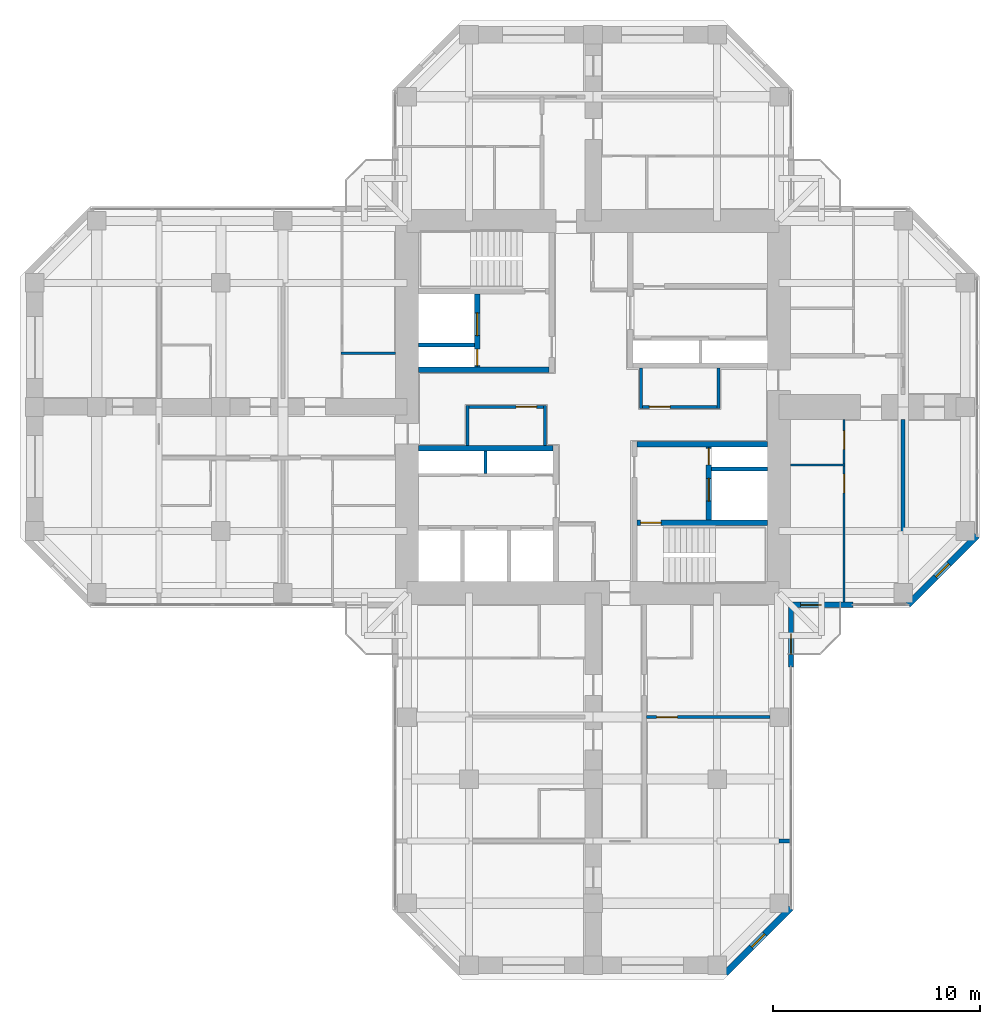
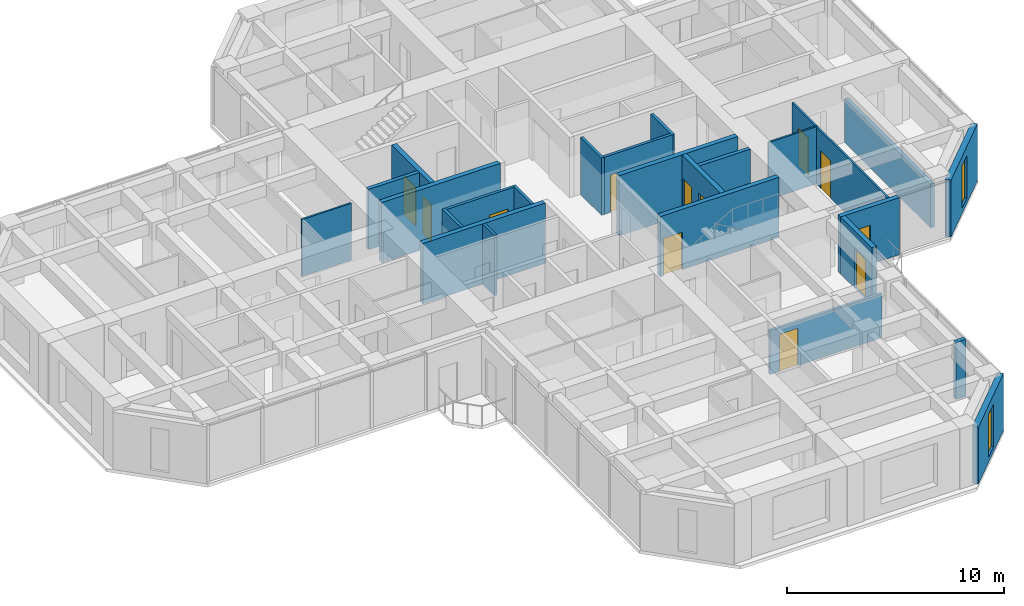
# One storey, part 10 of 14: 25 walls, 12 doors, 2 windows, 14 openings.
"""IFC4 building model written with IfcOpenShell, lengths in metres."""

from ifc_helpers import new_model, si_unit, direction, frame, frame_2d, origin, place, context, subcontext, project, spatial, rectangle, hollow_rectangle, extrude, material, layer, layer_set, constituent, constituent_set, type_object, element, fill, save


model = new_model("IFC4")

# Units and contexts
model_context = context("Model", 3, precision=1e-05, world=origin(), true_north=direction((0.0, 1.0)))
body_context = subcontext(model_context, "Body", "Model", "MODEL_VIEW")
ifc_project = project(units=[si_unit("LENGTHUNIT", "METRE"), si_unit("AREAUNIT", "SQUARE_METRE"), si_unit("VOLUMEUNIT", "CUBIC_METRE"), si_unit("PLANEANGLEUNIT", "RADIAN"), si_unit("MASSUNIT", "GRAM", prefix="KILO")], contexts=[model_context])

# Site, building, storey
site_placement = place(None, origin())
site = spatial("IfcSite", under=ifc_project, at=site_placement, CompositionType="ELEMENT")
building_placement = place(site_placement, origin())
building = spatial("IfcBuilding", under=site, at=building_placement, Name="Torre Cruceta", CompositionType="ELEMENT")
storey_placement = place(building_placement, frame((0.0, 0.0, 179.699951171875)))
storey = spatial("IfcBuildingStorey", under=building, at=storey_placement, Name="L44", CompositionType="ELEMENT", Elevation=179.699951171875)

# Wall
ifc_material_1 = material(Name="Water-resistant plasterboard on steel studs", Category="steel")
ifc_layer_1 = layer(ifc_material_1, 0.10009765625)
ifc_layer_set_1 = layer_set([ifc_layer_1], Name="Water-resistant plasterboard on steel studs")
wall_type_1 = type_object("IfcWallType", Name="BATHROOM WALL 100", PredefinedType="PARTITIONING", material=ifc_layer_set_1)
wall_1_placement = place(storey_placement, frame((9.550048828125, -2.800048828125, 0.0), z_axis=(0.0, 0.0, 1.0), x_axis=(1.0, 0.0, 0.0)))
element("IfcWall", 1, at=wall_1_placement, inside=storey, type_object=wall_type_1, Name="PT4 L44-E-U1RBB", PredefinedType="PARTITIONING", context=body_context, shape_type="SweptSolid", body=[
    extrude(rectangle(XDim=2.64990234375, YDim=0.10009765625, at=frame_2d((1.324951171875, 0.0))), origin(), (0.0, 0.0, 1.0), 3.219970703125),
])

# Wall, openings, doors
wall_2_placement = place(storey_placement, frame((12.14990234375, -9.445068359375, 0.0), z_axis=(0.0, 0.0, 1.0), x_axis=(0.0, 1.0, 0.0)))
wall_2 = element("IfcWall", 2, at=wall_2_placement, inside=storey, type_object=wall_type_1, Name="PT4 L44-E-U1RBS", PredefinedType="PARTITIONING", context=body_context, shape_type="SweptSolid", body=[
    extrude(rectangle(XDim=8.844970703125, YDim=0.10009765625, at=frame_2d((4.42236328125, 0.0))), origin(), (0.0, 0.0, 1.0), 3.219970703125),
])
opening_1_placement = place(wall_2_placement, frame((5.294921875, 0.0, 0.0)))
opening_1 = element("IfcOpeningElement", 3, at=opening_1_placement, cuts=wall_2, Name="Opening D7", PredefinedType="OPENING", context=body_context, shape_type="SweptSolid", body=[
    extrude(rectangle(XDim=0.89990234375, YDim=2.10009765625, at=frame_2d((0.449951171875, 1.050048828125))), frame((0.0, 0.06005859375, 0.0), z_axis=(0.0, -1.0, 0.0), x_axis=(1.0, 0.0, 0.0)), (0.0, 0.0, 1.0), 0.1201171875),
])
opening_2_placement = place(wall_2_placement, frame((7.39501953125, 0.0, 0.0)))
opening_2 = element("IfcOpeningElement", 4, at=opening_2_placement, cuts=wall_2, Name="Opening D7", PredefinedType="OPENING", context=body_context, shape_type="SweptSolid", body=[
    extrude(rectangle(XDim=0.89990234375, YDim=2.10009765625, at=frame_2d((0.449951171875, 1.050048828125))), frame((0.0, 0.06005859375, 0.0), z_axis=(0.0, -1.0, 0.0), x_axis=(1.0, 0.0, 0.0)), (0.0, 0.0, 1.0), 0.1201171875),
])
ifc_material_2 = material(Name="Timber door", Category="wood")
door_type_1 = type_object("IfcDoorType", Name="BATHROOM DOOR 900X2100", OperationType="SINGLE_SWING_LEFT", PredefinedType="DOOR", material=ifc_material_2)
door_1_placement = place(opening_1_placement, origin())
door_1 = element("IfcDoor", 5, at=door_1_placement, inside=storey, type_object=door_type_1, Name="D7 L44-E-U1RBS-D1", OperationType="SINGLE_SWING_RIGHT", OverallHeight=2.10009765625, OverallWidth=0.89990234375, PredefinedType="DOOR", context=body_context, shape_type="SweptSolid", body=[
    extrude(rectangle(XDim=0.89990234375, YDim=2.10009765625, at=frame_2d((0.449951171875, 1.050048828125))), frame((0.0, 0.02490234375, 0.0), z_axis=(0.0, -1.0, 0.0), x_axis=(1.0, 0.0, 0.0)), (0.0, 0.0, 1.0), 0.050048828125),
])
fill(opening_1, door_1)
door_2_placement = place(opening_2_placement, origin())
door_2 = element("IfcDoor", 6, at=door_2_placement, inside=storey, type_object=door_type_1, Name="D7 L44-E-U1RBS-D2", OperationType="SINGLE_SWING_RIGHT", OverallHeight=2.10009765625, OverallWidth=0.89990234375, PredefinedType="DOOR", context=body_context, shape_type="SweptSolid", body=[
    extrude(rectangle(XDim=0.89990234375, YDim=2.10009765625, at=frame_2d((0.449951171875, 1.050048828125))), frame((0.0, 0.02490234375, 0.0), z_axis=(0.0, -1.0, 0.0), x_axis=(1.0, 0.0, 0.0)), (0.0, 0.0, 1.0), 0.050048828125),
])
fill(opening_2, door_2)

# Walls
wall_3_placement = place(storey_placement, frame((-9.550048828125, 2.60009765625, 0.0), z_axis=(0.0, 0.0, 1.0), x_axis=(-1.0, 0.0, 0.0)))
element("IfcWall", 7, at=wall_3_placement, inside=storey, type_object=wall_type_1, Name="PT4 L44-W-U1RBB", PredefinedType="PARTITIONING", context=body_context, shape_type="SweptSolid", body=[
    extrude(rectangle(XDim=2.64990234375, YDim=0.10009765625, at=frame_2d((1.324951171875, 0.0))), origin(), (0.0, 0.0, 1.0), 3.219970703125),
])
ifc_material_3 = material(Name="Concrete G60 (fck 60 MPa)", Category="concrete")
ifc_layer_2 = layer(ifc_material_3, 0.25)
ifc_layer_set_2 = layer_set([ifc_layer_2], Name="Concrete G60 (fck 60 MPa)")
wall_type_2 = type_object("IfcWallType", Name="CORE INNER WALL 250 G60", PredefinedType="SHEAR", material=ifc_layer_set_2)
wall_4_placement = place(storey_placement, frame((-2.125, 1.800048828125, 0.0), z_axis=(0.0, 0.0, 1.0), x_axis=(-1.0, 0.0, 0.0)))
element("IfcWall", 8, at=wall_4_placement, inside=storey, type_object=wall_type_2, Name="CW4 L44 NW-CV", PredefinedType="SHEAR", context=body_context, shape_type="SweptSolid", body=[
    extrude(rectangle(XDim=6.324951171875, YDim=0.25, at=frame_2d((3.16259765625, 0.0))), origin(), (0.0, 0.0, 1.0), 3.400146484375),
])

# Wall, openings, doors
wall_5_placement = place(storey_placement, frame((-5.60009765625, 1.925048828125, 0.0), z_axis=(0.0, 0.0, 1.0), x_axis=(0.0, 1.0, 0.0)))
wall_5 = element("IfcWall", 9, at=wall_5_placement, inside=storey, type_object=wall_type_2, Name="CW4 L44 NW-FU", PredefinedType="SHEAR", context=body_context, shape_type="SweptSolid", body=[
    extrude(rectangle(XDim=3.550048828125, YDim=0.25, at=frame_2d((1.77490234375, 0.0))), origin(), (0.0, 0.0, 1.0), 3.400146484375),
])
opening_3_placement = place(wall_5_placement, frame((1.52490234375, 0.0, 0.0)))
opening_3 = element("IfcOpeningElement", 10, at=opening_3_placement, cuts=wall_5, Name="Opening LD1", PredefinedType="OPENING", context=body_context, shape_type="SweptSolid", body=[
    extrude(rectangle(XDim=1.10009765625, YDim=2.199951171875, at=frame_2d((0.550048828125, 1.10009765625))), frame((0.0, 0.135009765625, 0.0), z_axis=(0.0, -1.0, 0.0), x_axis=(1.0, 0.0, 0.0)), (0.0, 0.0, 1.0), 0.27001953125),
])
opening_4_placement = place(wall_5_placement, frame((0.074951171875, 0.0, 0.0)))
opening_4 = element("IfcOpeningElement", 11, at=opening_4_placement, cuts=wall_5, Name="Opening D5", PredefinedType="OPENING", context=body_context, shape_type="SweptSolid", body=[
    extrude(rectangle(XDim=0.800048828125, YDim=2.10009765625, at=frame_2d((0.39990234375, 1.050048828125))), frame((0.0, 0.135009765625, 0.0), z_axis=(0.0, -1.0, 0.0), x_axis=(1.0, 0.0, 0.0)), (0.0, 0.0, 1.0), 0.27001953125),
])
ifc_material_4 = material(Name="Stainless steel 1.4401", Category="steel")
door_type_2 = type_object("IfcDoorType", Name="LIFT LANDING DOOR 1100X2200", OperationType="DOUBLE_DOOR_SLIDING", PredefinedType="DOOR", material=ifc_material_4)
door_3_placement = place(opening_3_placement, origin())
door_3 = element("IfcDoor", 12, at=door_3_placement, inside=storey, type_object=door_type_2, Name="Lift landing door FL1", OperationType="DOUBLE_DOOR_SLIDING", OverallHeight=2.199951171875, OverallWidth=1.10009765625, PredefinedType="DOOR", context=body_context, shape_type="SweptSolid", body=[
    extrude(rectangle(XDim=1.10009765625, YDim=2.199951171875, at=frame_2d((0.550048828125, 1.10009765625))), frame((0.0, 0.02490234375, 0.0), z_axis=(0.0, -1.0, 0.0), x_axis=(1.0, 0.0, 0.0)), (0.0, 0.0, 1.0), 0.050048828125),
])
fill(opening_3, door_3)
ifc_material_5 = material(Name="Steel DX51D", Category="steel")
ifc_constituent_1 = constituent(ifc_material_5, Name="Leaf and frame")
ifc_material_6 = material(Name="Polyester powder coating", Category="paint")
ifc_constituent_2 = constituent(ifc_material_6, Name="Finish")
ifc_constituent_set_1 = constituent_set(constituents=[ifc_constituent_1, ifc_constituent_2], Name="Steel fire door")
door_type_3 = type_object("IfcDoorType", Name="RISER ACCESS DOOR 800X2100", OperationType="SINGLE_SWING_LEFT", PredefinedType="DOOR", material=ifc_constituent_set_1)
door_4_placement = place(opening_4_placement, origin())
door_4 = element("IfcDoor", 13, at=door_4_placement, inside=storey, type_object=door_type_3, Name="D5 L44 NW-RISER", OperationType="SINGLE_SWING_LEFT", OverallHeight=2.10009765625, OverallWidth=0.800048828125, PredefinedType="DOOR", context=body_context, shape_type="SweptSolid", body=[
    extrude(rectangle(XDim=0.800048828125, YDim=2.10009765625, at=frame_2d((0.39990234375, 1.050048828125))), frame((0.0, 0.02490234375, 0.0), z_axis=(0.0, -1.0, 0.0), x_axis=(1.0, 0.0, 0.0)), (0.0, 0.0, 1.0), 0.050048828125),
])
fill(opening_4, door_4)

# Walls
wall_6_placement = place(storey_placement, frame((-1.925048828125, -2.0, 0.0), z_axis=(0.0, 0.0, 1.0), x_axis=(-1.0, 0.0, 0.0)))
element("IfcWall", 14, at=wall_6_placement, inside=storey, type_object=wall_type_2, Name="CW4 L44 SW-CV", PredefinedType="SHEAR", context=body_context, shape_type="SweptSolid", body=[
    extrude(rectangle(XDim=6.52490234375, YDim=0.25, at=frame_2d((3.262451171875, 0.0))), origin(), (0.0, 0.0, 1.0), 3.400146484375),
])
wall_7_placement = place(storey_placement, frame((2.125, -1.800048828125, 0.0), z_axis=(0.0, 0.0, 1.0), x_axis=(1.0, 0.0, 0.0)))
element("IfcWall", 15, at=wall_7_placement, inside=storey, type_object=wall_type_2, Name="CW4 L44 SE-CV", PredefinedType="SHEAR", context=body_context, shape_type="SweptSolid", body=[
    extrude(rectangle(XDim=6.324951171875, YDim=0.25, at=frame_2d((3.16259765625, 0.0))), origin(), (0.0, 0.0, 1.0), 3.400146484375),
])

# Wall, opening, door
wall_8_placement = place(storey_placement, frame((2.125, -5.60009765625, 0.0), z_axis=(0.0, 0.0, 1.0), x_axis=(1.0, 0.0, 0.0)))
wall_8 = element("IfcWall", 16, at=wall_8_placement, inside=storey, type_object=wall_type_2, Name="CW4 L44 SE-SV", PredefinedType="SHEAR", context=body_context, shape_type="SweptSolid", body=[
    extrude(rectangle(XDim=6.324951171875, YDim=0.25, at=frame_2d((3.16259765625, 0.0))), origin(), (0.0, 0.0, 1.0), 3.400146484375),
])
opening_5_placement = place(wall_8_placement, frame((0.175048828125, 0.0, 0.0)))
opening_5 = element("IfcOpeningElement", 17, at=opening_5_placement, cuts=wall_8, Name="Opening D3", PredefinedType="OPENING", context=body_context, shape_type="SweptSolid", body=[
    extrude(rectangle(XDim=1.0, YDim=2.10009765625, at=frame_2d((0.5, 1.050048828125))), frame((0.0, 0.135009765625, 0.0), z_axis=(0.0, -1.0, 0.0), x_axis=(1.0, 0.0, 0.0)), (0.0, 0.0, 1.0), 0.27001953125),
])
ifc_material_7 = material(Name="Steel DX51D", Category="steel")
ifc_constituent_3 = constituent(ifc_material_7, Name="Leaf and frame")
ifc_material_8 = material(Name="Polyester powder coating", Category="paint")
ifc_constituent_4 = constituent(ifc_material_8, Name="Finish")
ifc_constituent_set_2 = constituent_set(constituents=[ifc_constituent_3, ifc_constituent_4], Name="Steel fire door")
door_type_4 = type_object("IfcDoorType", Name="FIRE DOOR 1000X2100", OperationType="SINGLE_SWING_LEFT", PredefinedType="DOOR", material=ifc_constituent_set_2)
door_5_placement = place(opening_5_placement, frame((1.0, 0.0, 0.0), z_axis=(0.0, 0.0, 1.0), x_axis=(-1.0, 0.0, 0.0)))
door_5 = element("IfcDoor", 18, at=door_5_placement, inside=storey, type_object=door_type_4, Name="D3 L44 SE-STAIR", OperationType="SINGLE_SWING_RIGHT", OverallHeight=2.10009765625, OverallWidth=1.0, PredefinedType="DOOR", context=body_context, shape_type="SweptSolid", body=[
    extrude(rectangle(XDim=1.0, YDim=2.10009765625, at=frame_2d((0.5, 1.050048828125))), frame((0.0, 0.025146484375, 0.0), z_axis=(0.0, -1.0, 0.0), x_axis=(1.0, 0.0, 0.0)), (0.0, 0.0, 1.0), 0.050048828125),
])
fill(opening_5, door_5)

# Wall, openings, doors
wall_9_placement = place(storey_placement, frame((5.60009765625, -1.925048828125, 0.0), z_axis=(0.0, 0.0, 1.0), x_axis=(0.0, -1.0, 0.0)))
wall_9 = element("IfcWall", 19, at=wall_9_placement, inside=storey, type_object=wall_type_2, Name="CW4 L44 SE-FU", PredefinedType="SHEAR", context=body_context, shape_type="SweptSolid", body=[
    extrude(rectangle(XDim=3.550048828125, YDim=0.25, at=frame_2d((1.77490234375, 0.0))), origin(), (0.0, 0.0, 1.0), 3.400146484375),
])
opening_6_placement = place(wall_9_placement, frame((1.52490234375, 0.0, 0.0)))
opening_6 = element("IfcOpeningElement", 20, at=opening_6_placement, cuts=wall_9, Name="Opening LD1", PredefinedType="OPENING", context=body_context, shape_type="SweptSolid", body=[
    extrude(rectangle(XDim=1.10009765625, YDim=2.199951171875, at=frame_2d((0.550048828125, 1.10009765625))), frame((0.0, 0.135009765625, 0.0), z_axis=(0.0, -1.0, 0.0), x_axis=(1.0, 0.0, 0.0)), (0.0, 0.0, 1.0), 0.27001953125),
])
opening_7_placement = place(wall_9_placement, frame((0.074951171875, 0.0, 0.0)))
opening_7 = element("IfcOpeningElement", 21, at=opening_7_placement, cuts=wall_9, Name="Opening D5", PredefinedType="OPENING", context=body_context, shape_type="SweptSolid", body=[
    extrude(rectangle(XDim=0.800048828125, YDim=2.10009765625, at=frame_2d((0.39990234375, 1.050048828125))), frame((0.0, 0.135009765625, 0.0), z_axis=(0.0, -1.0, 0.0), x_axis=(1.0, 0.0, 0.0)), (0.0, 0.0, 1.0), 0.27001953125),
])
door_6_placement = place(opening_6_placement, origin())
door_6 = element("IfcDoor", 22, at=door_6_placement, inside=storey, type_object=door_type_2, Name="Lift landing door FL2", OperationType="DOUBLE_DOOR_SLIDING", OverallHeight=2.199951171875, OverallWidth=1.10009765625, PredefinedType="DOOR", context=body_context, shape_type="SweptSolid", body=[
    extrude(rectangle(XDim=1.10009765625, YDim=2.199951171875, at=frame_2d((0.550048828125, 1.10009765625))), frame((0.0, 0.02490234375, 0.0), z_axis=(0.0, -1.0, 0.0), x_axis=(1.0, 0.0, 0.0)), (0.0, 0.0, 1.0), 0.050048828125),
])
fill(opening_6, door_6)
door_7_placement = place(opening_7_placement, origin())
door_7 = element("IfcDoor", 23, at=door_7_placement, inside=storey, type_object=door_type_3, Name="D5 L44 SE-RISER", OperationType="SINGLE_SWING_LEFT", OverallHeight=2.10009765625, OverallWidth=0.800048828125, PredefinedType="DOOR", context=body_context, shape_type="SweptSolid", body=[
    extrude(rectangle(XDim=0.800048828125, YDim=2.10009765625, at=frame_2d((0.39990234375, 1.050048828125))), frame((0.0, 0.02490234375, 0.0), z_axis=(0.0, -1.0, 0.0), x_axis=(1.0, 0.0, 0.0)), (0.0, 0.0, 1.0), 0.050048828125),
])
fill(opening_7, door_7)

# Wall, opening, window
ifc_material_9 = material(Name="Concrete G30 (fck 30 MPa)", Category="concrete")
ifc_layer_3 = layer(ifc_material_9, 0.300048828125)
ifc_layer_set_3 = layer_set([ifc_layer_3], Name="Concrete G30 (fck 30 MPa)")
wall_type_3 = type_object("IfcWallType", Name="EXPOSED CONCRETE FACADE WALL 300", PredefinedType="SOLIDWALL", material=ifc_layer_set_3)
wall_10_placement = place(storey_placement, frame((15.236083984375, -9.570068359375, 0.0), z_axis=(0.0, 0.0, 1.0), x_axis=(0.707106781187, 0.707106781187, 0.0)))
wall_10 = element("IfcWall", 24, at=wall_10_placement, inside=storey, type_object=wall_type_3, Name="EW1 facade wall L44 E chamfer 01", PredefinedType="SOLIDWALL", context=body_context, shape_type="SweptSolid", body=[
    extrude(rectangle(XDim=4.715087890625, YDim=0.300048828125, at=frame_2d((2.357421875, 0.0))), origin(), (0.0, 0.0, 1.0), 3.219970703125),
])
opening_8_placement = place(wall_10_placement, frame((1.907470703125, 0.0, 0.300048828125)))
opening_8 = element("IfcOpeningElement", 25, at=opening_8_placement, cuts=wall_10, Name="Opening WN5", PredefinedType="OPENING", context=body_context, shape_type="SweptSolid", body=[
    extrude(rectangle(XDim=0.89990234375, YDim=2.39990234375, at=frame_2d((0.449951171875, 1.199951171875))), frame((0.0, 0.159912109375, 0.0), z_axis=(0.0, -1.0, 0.0), x_axis=(1.0, 0.0, 0.0)), (0.0, 0.0, 1.0), 0.320068359375),
])
ifc_material_10 = material(Name="Aluminium window frame", Category="aluminium")
ifc_constituent_5 = constituent(ifc_material_10, Name="Frame")
ifc_material_11 = material(Name="Laminated insulating glass unit, low-iron clear", Category="glass")
ifc_constituent_6 = constituent(ifc_material_11, Name="Glazing")
ifc_constituent_set_3 = constituent_set(constituents=[ifc_constituent_5, ifc_constituent_6], Name="Aluminium window")
window_type = type_object("IfcWindowType", Name="CHAMFER SLOT WINDOW 900X2400", PartitioningType="SINGLE_PANEL", PredefinedType="WINDOW", material=ifc_constituent_set_3)
window_1_placement = place(opening_8_placement, origin())
window_1 = element("IfcWindow", 26, at=window_1_placement, inside=storey, type_object=window_type, Name="WN5 L44 E 1", OverallHeight=2.39990234375, OverallWidth=0.89990234375, PartitioningType="SINGLE_PANEL", PredefinedType="WINDOW", context=body_context, shape_type="SweptSolid", body=[
    extrude(hollow_rectangle(XDim=0.89990234375, YDim=2.39990234375, WallThickness=0.06005859375, at=frame_2d((0.449951171875, 1.199951171875))), frame((0.0, 0.030029296875, 0.0), z_axis=(0.0, -1.0, 0.0), x_axis=(1.0, 0.0, 0.0)), (0.0, 0.0, 1.0), 0.06005859375),
    extrude(rectangle(XDim=0.77880859375, YDim=2.27880859375, at=frame_2d((0.449951171875, 1.199951171875))), frame((0.0, 0.030029296875, 0.0), z_axis=(0.0, -1.0, 0.0), x_axis=(1.0, 0.0, 0.0)), (0.0, 0.0, 1.0), 0.06005859375),
])
fill(opening_8, window_1)

wall_11_placement = place(storey_placement, frame((6.406005859375, -27.39990234375, 0.0), z_axis=(0.0, 0.0, 1.0), x_axis=(0.707134062067, 0.707079499254, 0.0)))
wall_11 = element("IfcWall", 27, at=wall_11_placement, inside=storey, type_object=wall_type_3, Name="EW1 facade wall L44 S chamfer 18", PredefinedType="SOLIDWALL", context=body_context, shape_type="SweptSolid", body=[
    extrude(rectangle(XDim=4.474609375, YDim=0.300048828125, at=frame_2d((2.2373046875, 0.0))), origin(), (0.0, 0.0, 1.0), 3.219970703125),
])
opening_9_placement = place(wall_11_placement, frame((1.787109375, 0.0, 0.300048828125)))
opening_9 = element("IfcOpeningElement", 28, at=opening_9_placement, cuts=wall_11, Name="Opening WN5", PredefinedType="OPENING", context=body_context, shape_type="SweptSolid", body=[
    extrude(rectangle(XDim=0.89990234375, YDim=2.39990234375, at=frame_2d((0.449951171875, 1.199951171875))), frame((0.0, 0.159912109375, 0.0), z_axis=(0.0, -1.0, 0.0), x_axis=(1.0, 0.0, 0.0)), (0.0, 0.0, 1.0), 0.320068359375),
])
window_2_placement = place(opening_9_placement, origin())
window_2 = element("IfcWindow", 29, at=window_2_placement, inside=storey, type_object=window_type, Name="WN5 L44 S 1", OverallHeight=2.39990234375, OverallWidth=0.89990234375, PartitioningType="SINGLE_PANEL", PredefinedType="WINDOW", context=body_context, shape_type="SweptSolid", body=[
    extrude(hollow_rectangle(XDim=0.89990234375, YDim=2.39990234375, WallThickness=0.06005859375, at=frame_2d((0.449951171875, 1.199951171875))), frame((0.0, 0.030029296875, 0.0), z_axis=(0.0, -1.0, 0.0), x_axis=(1.0, 0.0, 0.0)), (0.0, 0.0, 1.0), 0.06005859375),
    extrude(rectangle(XDim=0.77880859375, YDim=2.27880859375, at=frame_2d((0.449951171875, 1.199951171875))), frame((0.0, 0.030029296875, 0.0), z_axis=(0.0, -1.0, 0.0), x_axis=(1.0, 0.0, 0.0)), (0.0, 0.0, 1.0), 0.06005859375),
])
fill(opening_9, window_2)

# Walls
ifc_material_12 = material(Name="Concrete G35 (fck 35 MPa)", Category="concrete")
ifc_layer_4 = layer(ifc_material_12, 0.199951171875)
ifc_layer_set_4 = layer_set([ifc_layer_4], Name="Concrete G35 (fck 35 MPa)")
wall_type_4 = type_object("IfcWallType", Name="LIFT SHAFT WALL 200", PredefinedType="PARTITIONING", material=ifc_layer_set_4)
for number, where, z_axis, x_axis, name in (
    (30, (-5.72509765625, 3.0, 0.0), (0.0, 0.0, 1.0), (-1.0, 0.0, 0.0), "SW1 L44 NW-FR"),
    (31, (5.72509765625, -3.0, 0.0), (0.0, 0.0, 1.0), (1.0, 0.0, 0.0), "SW1 L44 SE-FR"),
):
    element("IfcWall", number, at=place(storey_placement, frame(where, z_axis=z_axis, x_axis=x_axis)), inside=storey, type_object=wall_type_4, Name=name, PredefinedType="PARTITIONING", context=body_context, shape_type="SweptSolid", body=[
        extrude(rectangle(XDim=2.724853515625, YDim=0.199951171875, at=frame_2d((1.3623046875, 0.0))), origin(), (0.0, 0.0, 1.0), 3.400146484375),
    ])

# Wall, opening, door
ifc_material_13 = material(Name="Plasterboard on steel studs", Category="steel")
ifc_layer_5 = layer(ifc_material_13, 0.14990234375)
ifc_layer_set_5 = layer_set([ifc_layer_5], Name="Plasterboard on steel studs")
wall_type_5 = type_object("IfcWallType", Name="PARTITION 150", PredefinedType="PARTITIONING", material=ifc_layer_set_5)
wall_12_placement = place(storey_placement, frame((2.324951171875, 0.0, 0.0), z_axis=(0.0, 0.0, 1.0), x_axis=(1.0, 0.0, 0.0)))
wall_12 = element("IfcWall", 32, at=wall_12_placement, inside=storey, type_object=wall_type_5, Name="PT1 L44-CORE-LEGE-N-W1", PredefinedType="PARTITIONING", context=body_context, shape_type="SweptSolid", body=[
    extrude(rectangle(XDim=3.75, YDim=0.14990234375, at=frame_2d((1.875, 0.0))), origin(), (0.0, 0.0, 1.0), 3.219970703125),
])
opening_10_placement = place(wall_12_placement, frame((0.39990234375, 0.0, 0.0)))
opening_10 = element("IfcOpeningElement", 33, at=opening_10_placement, cuts=wall_12, Name="Opening D3", PredefinedType="OPENING", context=body_context, shape_type="SweptSolid", body=[
    extrude(rectangle(XDim=1.0, YDim=2.10009765625, at=frame_2d((0.5, 1.050048828125))), frame((0.0, 0.0849609375, 0.0), z_axis=(0.0, -1.0, 0.0), x_axis=(1.0, 0.0, 0.0)), (0.0, 0.0, 1.0), 0.169921875),
])
door_8_placement = place(opening_10_placement, origin())
door_8 = element("IfcDoor", 34, at=door_8_placement, inside=storey, type_object=door_type_4, Name="D3 L44-CORE-LEGE-N-W1-D1", OperationType="SINGLE_SWING_LEFT", OverallHeight=2.10009765625, OverallWidth=1.0, PredefinedType="DOOR", context=body_context, shape_type="SweptSolid", body=[
    extrude(rectangle(XDim=1.0, YDim=2.10009765625, at=frame_2d((0.5, 1.050048828125))), frame((0.0, 0.02490234375, 0.0), z_axis=(0.0, -1.0, 0.0), x_axis=(1.0, 0.0, 0.0)), (0.0, 0.0, 1.0), 0.050048828125),
])
fill(opening_10, door_8)

# Walls
for number, where, z_axis, x_axis, name in (
    (35, (2.324951171875, 1.875, 0.0), (0.0, 0.0, 1.0), (0.0, -1.0, 0.0), "PT1 L44-CORE-LEGE-N-W2"),
    (36, (6.074951171875, -0.074951171875, 0.0), (0.0, 0.0, 1.0), (0.0, 1.0, 0.0), "PT1 L44-CORE-LEGE-N-W3"),
):
    element("IfcWall", number, at=place(storey_placement, frame(where, z_axis=z_axis, x_axis=x_axis)), inside=storey, type_object=wall_type_5, Name=name, PredefinedType="PARTITIONING", context=body_context, shape_type="SweptSolid", body=[
        extrude(rectangle(XDim=1.949951171875, YDim=0.14990234375, at=frame_2d((0.97509765625, 0.0))), origin(), (0.0, 0.0, 1.0), 3.219970703125),
    ])

# Wall, opening, door
wall_13_placement = place(storey_placement, frame((-2.324951171875, 0.0, 0.0), z_axis=(0.0, 0.0, 1.0), x_axis=(-1.0, 0.0, 0.0)))
wall_13 = element("IfcWall", 37, at=wall_13_placement, inside=storey, type_object=wall_type_5, Name="PT1 L44-CORE-LEGW-S-W1", PredefinedType="PARTITIONING", context=body_context, shape_type="SweptSolid", body=[
    extrude(rectangle(XDim=3.75, YDim=0.14990234375, at=frame_2d((1.875, 0.0))), origin(), (0.0, 0.0, 1.0), 3.219970703125),
])
opening_11_placement = place(wall_13_placement, frame((0.39990234375, 0.0, 0.0)))
opening_11 = element("IfcOpeningElement", 38, at=opening_11_placement, cuts=wall_13, Name="Opening D3", PredefinedType="OPENING", context=body_context, shape_type="SweptSolid", body=[
    extrude(rectangle(XDim=1.0, YDim=2.10009765625, at=frame_2d((0.5, 1.050048828125))), frame((0.0, 0.0849609375, 0.0), z_axis=(0.0, -1.0, 0.0), x_axis=(1.0, 0.0, 0.0)), (0.0, 0.0, 1.0), 0.169921875),
])
door_9_placement = place(opening_11_placement, origin())
door_9 = element("IfcDoor", 39, at=door_9_placement, inside=storey, type_object=door_type_4, Name="D3 L44-CORE-LEGW-S-W1-D1", OperationType="SINGLE_SWING_LEFT", OverallHeight=2.10009765625, OverallWidth=1.0, PredefinedType="DOOR", context=body_context, shape_type="SweptSolid", body=[
    extrude(rectangle(XDim=1.0, YDim=2.10009765625, at=frame_2d((0.5, 1.050048828125))), frame((0.0, 0.02490234375, 0.0), z_axis=(0.0, -1.0, 0.0), x_axis=(1.0, 0.0, 0.0)), (0.0, 0.0, 1.0), 0.050048828125),
])
fill(opening_11, door_9)

# Walls
for number, where, z_axis, x_axis, name in (
    (40, (-2.324951171875, -1.875, 0.0), (0.0, 0.0, 1.0), (0.0, 1.0, 0.0), "PT1 L44-CORE-LEGW-S-W2"),
    (41, (-6.074951171875, 0.074951171875, 0.0), (0.0, 0.0, 1.0), (0.0, -1.0, 0.0), "PT1 L44-CORE-LEGW-S-W3"),
):
    element("IfcWall", number, at=place(storey_placement, frame(where, z_axis=z_axis, x_axis=x_axis)), inside=storey, type_object=wall_type_5, Name=name, PredefinedType="PARTITIONING", context=body_context, shape_type="SweptSolid", body=[
        extrude(rectangle(XDim=1.949951171875, YDim=0.14990234375, at=frame_2d((0.97509765625, 0.0))), origin(), (0.0, 0.0, 1.0), 3.219970703125),
    ])

# Wall, opening, door
wall_14_placement = place(storey_placement, frame((2.574951171875, -15.0, 0.0), z_axis=(0.0, 0.0, 1.0), x_axis=(1.0, 0.0, 0.0)))
wall_14 = element("IfcWall", 42, at=wall_14_placement, inside=storey, type_object=wall_type_5, Name="PT1 L44-S-P1L", PredefinedType="PARTITIONING", context=body_context, shape_type="SweptSolid", body=[
    extrude(rectangle(XDim=5.97509765625, YDim=0.14990234375, at=frame_2d((2.987548828125, 0.0))), origin(), (0.0, 0.0, 1.0), 2.469970703125),
])
opening_12_placement = place(wall_14_placement, frame((0.5, 0.0, 0.0)))
opening_12 = element("IfcOpeningElement", 43, at=opening_12_placement, cuts=wall_14, Name="Opening D3", PredefinedType="OPENING", context=body_context, shape_type="SweptSolid", body=[
    extrude(rectangle(XDim=1.0, YDim=2.10009765625, at=frame_2d((0.5, 1.050048828125))), frame((0.0, 0.0849609375, 0.0), z_axis=(0.0, -1.0, 0.0), x_axis=(1.0, 0.0, 0.0)), (0.0, 0.0, 1.0), 0.169921875),
])
door_10_placement = place(opening_12_placement, origin())
door_10 = element("IfcDoor", 44, at=door_10_placement, inside=storey, type_object=door_type_4, Name="D3 L44-S-P1L-D1", OperationType="SINGLE_SWING_LEFT", OverallHeight=2.10009765625, OverallWidth=1.0, PredefinedType="DOOR", context=body_context, shape_type="SweptSolid", body=[
    extrude(rectangle(XDim=1.0, YDim=2.10009765625, at=frame_2d((0.5, 1.050048828125))), frame((0.0, 0.02490234375, 0.0), z_axis=(0.0, -1.0, 0.0), x_axis=(1.0, 0.0, 0.0)), (0.0, 0.0, 1.0), 0.050048828125),
])
fill(opening_12, door_10)

# Walls
ifc_material_14 = material(Name="Concrete block masonry", Category="masonry")
ifc_layer_6 = layer(ifc_material_14, 0.14990234375)
ifc_layer_set_6 = layer_set([ifc_layer_6], Name="Concrete block masonry")
wall_type_6 = type_object("IfcWallType", Name="RISER WALL 150", PredefinedType="PARTITIONING", material=ifc_layer_set_6)
wall_15_placement = place(storey_placement, frame((-5.199951171875, -2.125, 0.0), z_axis=(0.0, 0.0, 1.0), x_axis=(0.0, -1.0, 0.0)))
element("IfcWall", 45, at=wall_15_placement, inside=storey, type_object=wall_type_6, Name="SW7 L44 SW-RU", PredefinedType="PARTITIONING", context=body_context, shape_type="SweptSolid", body=[
    extrude(rectangle(XDim=1.10009765625, YDim=0.14990234375, at=frame_2d((0.550048828125, 0.0))), origin(), (0.0, 0.0, 1.0), 3.400146484375),
])
ifc_material_15 = material(Name="Concrete G25 (fck 25 MPa)", Category="concrete")
ifc_layer_7 = layer(ifc_material_15, 0.199951171875)
ifc_layer_set_7 = layer_set([ifc_layer_7], Name="Concrete G25 (fck 25 MPa)")
wall_type_7 = type_object("IfcWallType", Name="UNIT SEPARATING WALL 200", PredefinedType="SOLIDWALL", material=ifc_layer_set_7)
wall_16_placement = place(storey_placement, frame((15.0, -8.550048828125, 0.0), z_axis=(0.0, 0.0, 1.0), x_axis=(0.0, 1.0, 0.0)))
element("IfcWall", 46, at=wall_16_placement, inside=storey, type_object=wall_type_7, Name="PT2 L44-E-ENDa", PredefinedType="SOLIDWALL", context=body_context, shape_type="SweptSolid", body=[
    extrude(rectangle(XDim=7.949951171875, YDim=0.199951171875, at=frame_2d((3.97509765625, 0.0))), origin(), (0.0, 0.0, 1.0), 2.469970703125),
])
wall_17_placement = place(storey_placement, frame((9.0, -21.0, 0.0), z_axis=(0.0, 0.0, 1.0), x_axis=(1.0, 0.0, 0.0)))
element("IfcWall", 47, at=wall_17_placement, inside=storey, type_object=wall_type_7, Name="PT2 L44-S-ENDb 2", PredefinedType="SOLIDWALL", context=body_context, shape_type="SweptSolid", body=[
    extrude(rectangle(XDim=0.530029296875, YDim=0.199951171875, at=frame_2d((0.26513671875, 0.0))), origin(), (0.0, 0.0, 1.0), 3.219970703125),
])

# Wall, opening, door
ifc_material_16 = material(Name="Concrete G30 (fck 30 MPa)", Category="concrete")
ifc_layer_8 = layer(ifc_material_16, 0.25)
ifc_layer_set_8 = layer_set([ifc_layer_8], Name="Concrete G30 (fck 30 MPa)")
wall_type_8 = type_object("IfcWallType", Name="WINTER GARDEN WALL 250", PredefinedType="SOLIDWALL", material=ifc_layer_set_8)
wall_18_placement = place(storey_placement, frame((9.445068359375, -9.570068359375, 0.0), z_axis=(0.0, 0.0, 1.0), x_axis=(1.0, 0.0, 0.0)))
wall_18 = element("IfcWall", 48, at=wall_18_placement, inside=storey, type_object=wall_type_8, Name="EW2 winter garden wall L44 00", PredefinedType="SOLIDWALL", context=body_context, shape_type="SweptSolid", body=[
    extrude(rectangle(XDim=3.125, YDim=0.25, at=frame_2d((1.5625, 0.0))), origin(), (0.0, 0.0, 1.0), 3.219970703125),
])
opening_13_placement = place(wall_18_placement, frame((0.60009765625, 0.0, 0.0)))
opening_13 = element("IfcOpeningElement", 49, at=opening_13_placement, cuts=wall_18, Name="Opening D10", PredefinedType="OPENING", context=body_context, shape_type="SweptSolid", body=[
    extrude(rectangle(XDim=1.0, YDim=2.199951171875, at=frame_2d((0.5, 1.10009765625))), frame((0.0, 0.135009765625, 0.0), z_axis=(0.0, -1.0, 0.0), x_axis=(1.0, 0.0, 0.0)), (0.0, 0.0, 1.0), 0.27001953125),
])
ifc_material_17 = material(Name="Aluminium door frame", Category="aluminium")
ifc_constituent_7 = constituent(ifc_material_17, Name="Frame")
ifc_material_18 = material(Name="Laminated safety glass", Category="glass")
ifc_constituent_8 = constituent(ifc_material_18, Name="Glazing")
ifc_constituent_set_4 = constituent_set(constituents=[ifc_constituent_7, ifc_constituent_8], Name="Aluminium glazed door")
door_type_5 = type_object("IfcDoorType", Name="BALCONY DOOR 1000X2200", OperationType="SINGLE_SWING_RIGHT", PredefinedType="DOOR", material=ifc_constituent_set_4)
door_11_placement = place(opening_13_placement, origin())
door_11 = element("IfcDoor", 50, at=door_11_placement, inside=storey, type_object=door_type_5, Name="D10 balcony door L44 00", OperationType="SINGLE_SWING_LEFT", OverallHeight=2.199951171875, OverallWidth=1.0, PredefinedType="DOOR", context=body_context, shape_type="SweptSolid", body=[
    extrude(hollow_rectangle(XDim=1.0, YDim=2.199951171875, WallThickness=0.06005859375, at=frame_2d((0.5, 1.10009765625))), frame((0.0, 0.02490234375, 0.0), z_axis=(0.0, -1.0, 0.0), x_axis=(1.0, 0.0, 0.0)), (0.0, 0.0, 1.0), 0.050048828125),
    extrude(rectangle(XDim=0.87890625, YDim=2.078857421875, at=frame_2d((0.5, 1.10009765625))), frame((0.0, 0.02490234375, 0.0), z_axis=(0.0, -1.0, 0.0), x_axis=(1.0, 0.0, 0.0)), (0.0, 0.0, 1.0), 0.050048828125),
])
fill(opening_13, door_11)

wall_19_placement = place(storey_placement, frame((9.570068359375, -12.570068359375, 0.0), z_axis=(0.0, 0.0, 1.0), x_axis=(0.0, 1.0, 0.0)))
wall_19 = element("IfcWall", 51, at=wall_19_placement, inside=storey, type_object=wall_type_8, Name="EW2 winter garden wall L44 19", PredefinedType="SOLIDWALL", context=body_context, shape_type="SweptSolid", body=[
    extrude(rectangle(XDim=2.875, YDim=0.25, at=frame_2d((1.4375, 0.0))), origin(), (0.0, 0.0, 1.0), 3.219970703125),
])
opening_14_placement = place(wall_19_placement, frame((0.60009765625, 0.0, 0.0)))
opening_14 = element("IfcOpeningElement", 52, at=opening_14_placement, cuts=wall_19, Name="Opening D10", PredefinedType="OPENING", context=body_context, shape_type="SweptSolid", body=[
    extrude(rectangle(XDim=1.0, YDim=2.199951171875, at=frame_2d((0.5, 1.10009765625))), frame((0.0, 0.135009765625, 0.0), z_axis=(0.0, -1.0, 0.0), x_axis=(1.0, 0.0, 0.0)), (0.0, 0.0, 1.0), 0.27001953125),
])
door_12_placement = place(opening_14_placement, origin())
door_12 = element("IfcDoor", 53, at=door_12_placement, inside=storey, type_object=door_type_5, Name="D10 balcony door L44 19", OperationType="SINGLE_SWING_RIGHT", OverallHeight=2.199951171875, OverallWidth=1.0, PredefinedType="DOOR", context=body_context, shape_type="SweptSolid", body=[
    extrude(hollow_rectangle(XDim=1.0, YDim=2.199951171875, WallThickness=0.06005859375, at=frame_2d((0.5, 1.10009765625))), frame((0.0, 0.02490234375, 0.0), z_axis=(0.0, -1.0, 0.0), x_axis=(1.0, 0.0, 0.0)), (0.0, 0.0, 1.0), 0.050048828125),
    extrude(rectangle(XDim=0.87890625, YDim=2.078857421875, at=frame_2d((0.5, 1.10009765625))), frame((0.0, 0.02490234375, 0.0), z_axis=(0.0, -1.0, 0.0), x_axis=(1.0, 0.0, 0.0)), (0.0, 0.0, 1.0), 0.050048828125),
])
fill(opening_14, door_12)

save(model, "model.ifc")
